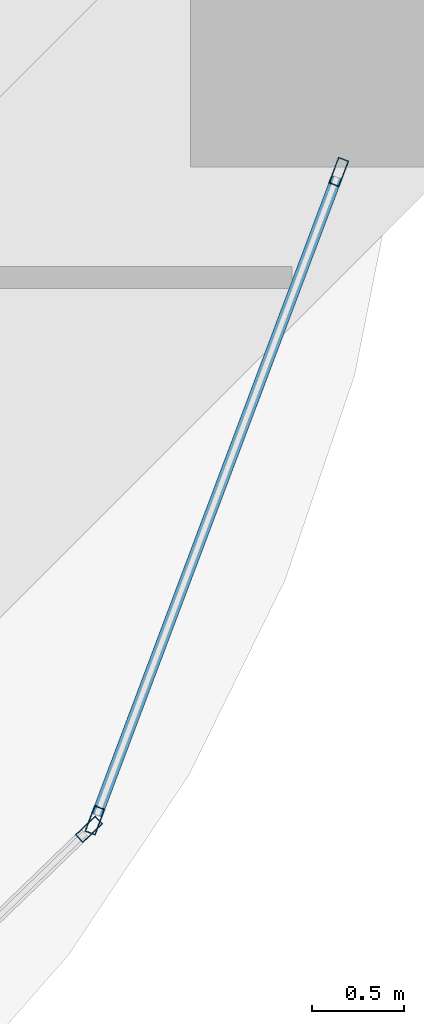
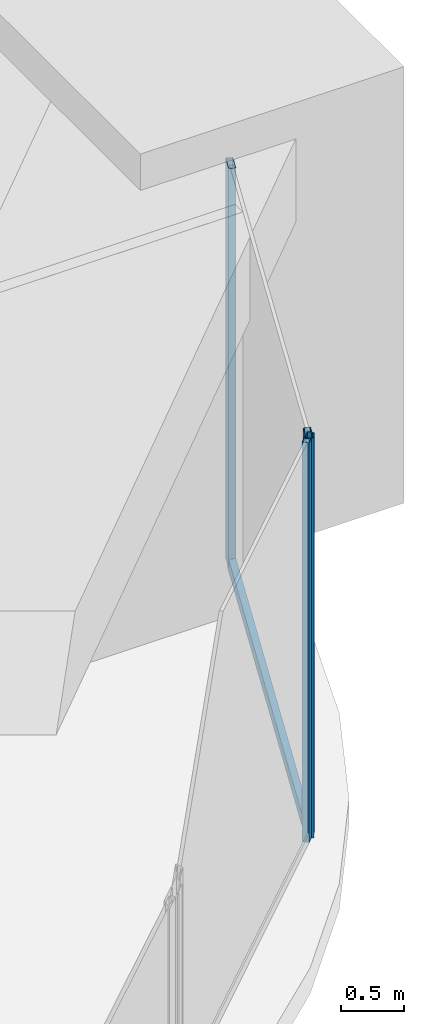
# One storey, part 20 of 45: 4 members, 2 elements without a shape of their own.
"""IFC4 building model written with IfcOpenShell, lengths in metres."""

from ifc_helpers import new_model, si_unit, direction, frame, origin, origin_2d, place, context, subcontext, project, spatial, hollow_rectangle, extrude, material, material_profile, profile_set, type_object, element, aggregate, save


model = new_model("IFC4")

# Units and contexts
model_context = context("Model", 3, precision=1e-05, world=origin(), true_north=direction((0.0, 1.0)))
body_context = subcontext(model_context, "Body", "Model", "MODEL_VIEW")
ifc_project = project(units=[si_unit("LENGTHUNIT", "METRE"), si_unit("AREAUNIT", "SQUARE_METRE"), si_unit("VOLUMEUNIT", "CUBIC_METRE"), si_unit("PLANEANGLEUNIT", "RADIAN"), si_unit("MASSUNIT", "GRAM", prefix="KILO")], contexts=[model_context])

# Site, building, storey
site_placement = place(None, origin())
site = spatial("IfcSite", under=ifc_project, at=site_placement, CompositionType="ELEMENT")
building_placement = place(site_placement, origin())
building = spatial("IfcBuilding", under=site, at=building_placement, Name="Zorevar Civic Tower", CompositionType="ELEMENT")
storey_placement = place(building_placement, frame((0.0, 0.0, 153.0)))
storey = spatial("IfcBuildingStorey", under=building, at=storey_placement, Name="L37", CompositionType="ELEMENT", Elevation=153.0)

# Curtain wall, member
ifc_material_1 = material(Name="Dark grey solar-control glass in black aluminium frame", Category="aluminium")
curtain_wall_type = type_object("IfcCurtainWallType", Name="Curtain wall CW3 mid zone", PredefinedType="NOTDEFINED", material=ifc_material_1)
curtain_wall_1_placement = place(storey_placement, origin())
curtain_wall_1 = element("IfcCurtainWall", 1, at=curtain_wall_1_placement, inside=storey, type_object=curtain_wall_type, Name="CW3 L37", PredefinedType="NOTDEFINED")
ifc_material_2 = material(Name="Aluminium, black anodised", Category="aluminium")
ifc_material_profile_1 = material_profile(ifc_material_2, hollow_rectangle(XDim=0.06005859375, YDim=0.14990234375, WallThickness=0.00390625, at=origin_2d()), Name="AL 150x60x4")
ifc_profile_set_1 = profile_set([ifc_material_profile_1], Name="Aluminium, black anodised")
member_type_1 = type_object("IfcMemberType", Name="CW3 mullion AL 150x60x4", PredefinedType="MULLION", material=ifc_profile_set_1)
member_1_placement = place(storey_placement, frame((61.249267578125, 4.201904296875, 0.0), z_axis=(0.0, 0.0, 1.0), x_axis=(-0.694719089155, 0.719281160023, 0.0)))
member_1 = element("IfcMember", 2, at=member_1_placement, type_object=member_type_1, Name="CW3 mullion 2", PredefinedType="MULLION", context=body_context, shape_type="SweptSolid", body=[
    extrude(hollow_rectangle(XDim=0.06005859375, YDim=0.14990234375, WallThickness=0.00390625, at=origin_2d()), origin(), (0.0, 0.0, 1.0), 3.85009765625),
])
aggregate(curtain_wall_1, [member_1])

# Curtain wall, members
curtain_wall_2_placement = place(storey_placement, origin())
curtain_wall_2 = element("IfcCurtainWall", 3, at=curtain_wall_2_placement, inside=storey, type_object=curtain_wall_type, Name="CW3 L37", PredefinedType="NOTDEFINED")
member_2_placement = place(storey_placement, frame((61.281494140625, 4.250732421875, 0.0), z_axis=(0.0, 0.0, 1.0), x_axis=(-0.935950528564, 0.352131520999, 0.0)))
member_2 = element("IfcMember", 4, at=member_2_placement, type_object=member_type_1, Name="CW3 mullion 1", PredefinedType="MULLION", context=body_context, shape_type="SweptSolid", body=[
    extrude(hollow_rectangle(XDim=0.06005859375, YDim=0.14990234375, WallThickness=0.00390625, at=origin_2d()), origin(), (0.0, 0.0, 1.0), 3.85009765625),
])
member_3_placement = place(storey_placement, frame((62.606201171875, 7.77197265625, 0.0), z_axis=(0.0, 0.0, 1.0), x_axis=(-0.935950528564, 0.352131520999, 0.0)))
member_3 = element("IfcMember", 5, at=member_3_placement, type_object=member_type_1, Name="CW3 mullion 2", PredefinedType="MULLION", context=body_context, shape_type="SweptSolid", body=[
    extrude(hollow_rectangle(XDim=0.06005859375, YDim=0.14990234375, WallThickness=0.00390625, at=origin_2d()), origin(), (0.0, 0.0, 1.0), 3.85009765625),
])
ifc_material_3 = material(Name="Aluminium, black anodised", Category="aluminium")
ifc_material_profile_2 = material_profile(ifc_material_3, hollow_rectangle(XDim=0.06005859375, YDim=0.1201171875, WallThickness=0.0029296875, at=origin_2d()), Name="AL 120x60x3")
ifc_profile_set_2 = profile_set([ifc_material_profile_2], Name="Aluminium, black anodised")
member_type_2 = type_object("IfcMemberType", Name="CW3 transom AL 120x60x3", PredefinedType="USERDEFINED", material=ifc_profile_set_2)
member_4_placement = place(storey_placement, frame((61.2919921875, 4.27880859375, 0.030029296875), z_axis=(0.352142207579, 0.935946507895, 0.0), x_axis=(-0.935946507895, 0.352142207579, 0.0)))
member_4 = element("IfcMember", 6, at=member_4_placement, type_object=member_type_2, Name="CW3 sill transom", ObjectType="TRANSOM", PredefinedType="USERDEFINED", context=body_context, shape_type="SweptSolid", body=[
    extrude(hollow_rectangle(XDim=0.06005859375, YDim=0.1201171875, WallThickness=0.0029296875, at=origin_2d()), origin(), (0.0, 0.0, 1.0), 3.7021484375),
])
aggregate(curtain_wall_2, [member_2, member_3, member_4])

save(model, "model.ifc")
